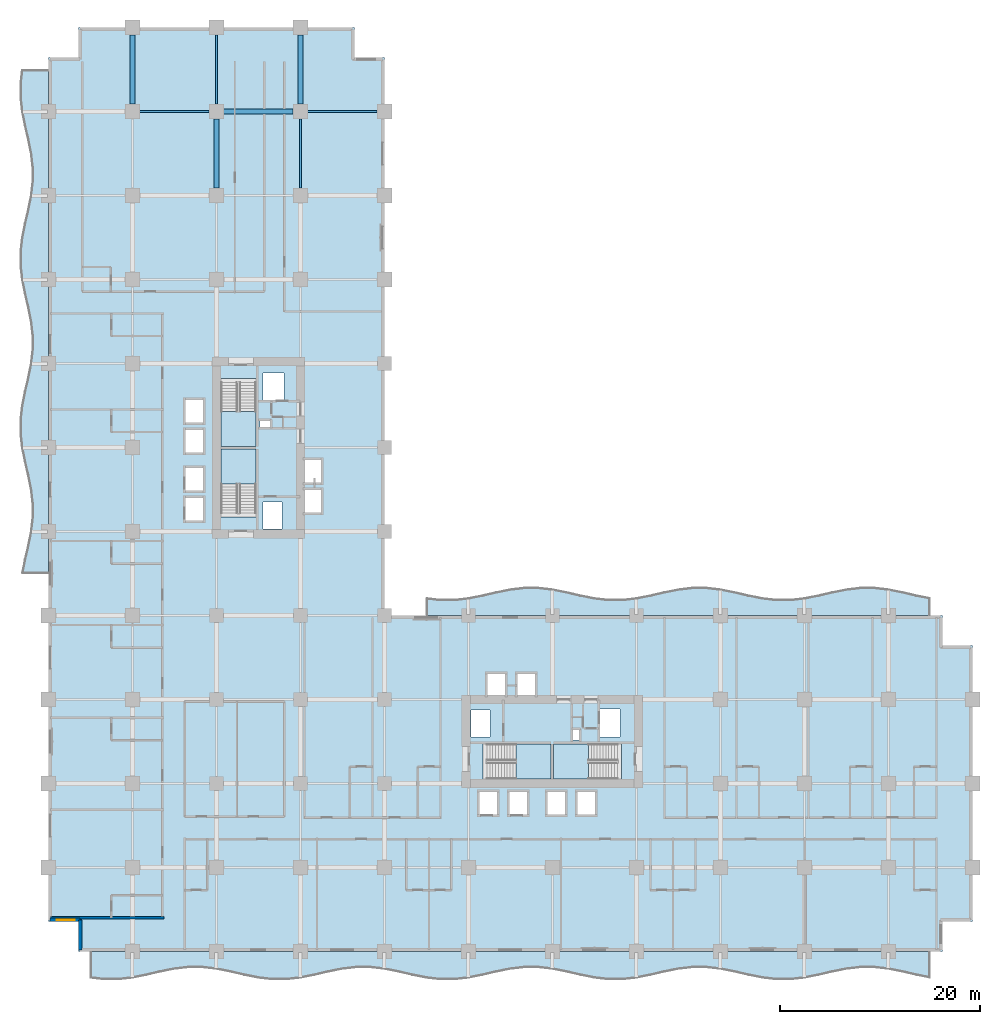
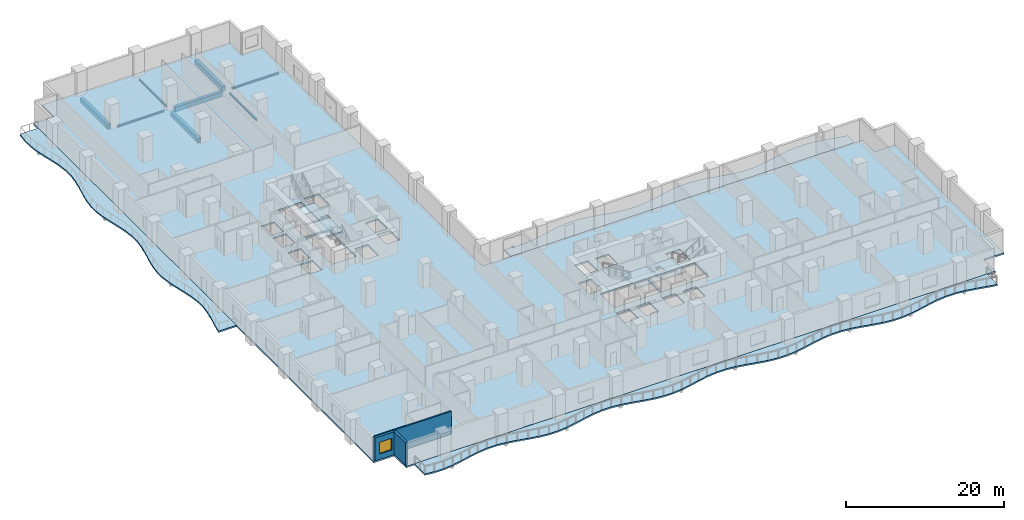
# One storey, part 3 of 22: 8 beams, 8 slabs, 3 walls, 1 window, 1 opening, 4 elements without a shape of their own.
"""IFC4 building model written with IfcOpenShell, lengths in metres."""

from ifc_helpers import new_model, si_unit, direction, frame, frame_2d, origin, origin_2d, place, context, subcontext, project, spatial, polyline, rectangle, i_section, outline, extrude, material, layer, layer_set, material_profile, profile_set, type_object, element, fill, aggregate, save


model = new_model("IFC4")

# Units and contexts
model_context = context("Model", 3, precision=1e-05, world=origin(), true_north=direction((0.0, 1.0)))
body_context = subcontext(model_context, "Body", "Model", "MODEL_VIEW")
ifc_project = project(units=[si_unit("LENGTHUNIT", "METRE"), si_unit("AREAUNIT", "SQUARE_METRE"), si_unit("VOLUMEUNIT", "CUBIC_METRE"), si_unit("PLANEANGLEUNIT", "RADIAN"), si_unit("MASSUNIT", "GRAM", prefix="KILO")], contexts=[model_context])

# Site, building, storey
site_placement = place(None, origin())
site = spatial("IfcSite", under=ifc_project, at=site_placement, CompositionType="ELEMENT")
building_placement = place(site_placement, origin())
building = spatial("IfcBuilding", under=site, at=building_placement, Name="Koriwani Terraces Tower", CompositionType="ELEMENT")
storey_placement = place(building_placement, frame((0.0, 0.0, 51.0)))
storey = spatial("IfcBuildingStorey", under=building, at=storey_placement, Name="L11", CompositionType="ELEMENT", Elevation=51.0)

# Beams
ifc_material_1 = material(Name="Concrete C50/60", Category="concrete")
ifc_material_profile_1 = material_profile(ifc_material_1, rectangle(XDim=0.5, YDim=0.75, at=origin_2d()), Name="Concrete C50/60", Category="LoadBearing")
ifc_profile_set_1 = profile_set([ifc_material_profile_1], Name="Concrete C50/60")
beam_type_1 = type_object("IfcBeamType", Name="BEAM_RC_GRID_500X750", PredefinedType="BEAM", material=ifc_profile_set_1)
for number, where, z_axis, x_axis, name in (
    (1, (17.530029296875, 84.0, -0.625), (1.0, 0.0, 0.0), (0.0, 1.0, 0.0), "L11 Grid Beam K (16.8-25.2m)"),
    (2, (8.39990234375, 84.72998046875, -0.625), (0.0, 1.0, 0.0), (-1.0, 0.0, 0.0), "L11 Grid Beam 2 (84.0-92.4m)"),
    (3, (16.800048828125, 76.330078125, -0.625), (0.0, 1.0, 0.0), (-1.0, 0.0, 0.0), "L11 Grid Beam 3 (75.6-84.0m)"),
    (4, (25.199951171875, 84.72998046875, -0.625), (0.0, 1.0, 0.0), (-1.0, 0.0, 0.0), "L11 Grid Beam 4 (84.0-92.4m)"),
):
    element("IfcBeam", number, at=place(storey_placement, frame(where, z_axis=z_axis, x_axis=x_axis)), inside=storey, type_object=beam_type_1, Name=name, PredefinedType="BEAM", context=body_context, shape_type="SweptSolid", body=[
        extrude(rectangle(XDim=0.5, YDim=0.75, at=origin_2d()), origin(), (0.0, 0.0, 1.0), 6.93994140625),
    ])
ifc_material_2 = material(Name="Steel ASTM A572 Grade 50", Category="steel")
ifc_material_profile_2 = material_profile(ifc_material_2, i_section(OverallWidth=0.205078125, OverallDepth=0.31005859375, WebThickness=0.009521484375, FlangeThickness=0.016357421875, at=origin_2d()), Name="Steel ASTM A572 Grade 50", Category="LoadBearing")
ifc_profile_set_2 = profile_set([ifc_material_profile_2], Name="Steel ASTM A572 Grade 50")
beam_type_2 = type_object("IfcBeamType", Name="STEEL_BEAM_W310X74", PredefinedType="JOIST", material=ifc_profile_set_2)
for number, where, z_axis, x_axis, name in (
    (5, (9.1298828125, 84.0, -0.405029296875), (1.0, 0.0, 0.0), (0.0, 1.0, 0.0), "L11 Grid Beam K (8.4-16.8m)"),
    (6, (25.929931640625, 84.0, -0.405029296875), (1.0, 0.0, 0.0), (0.0, 1.0, 0.0), "L11 Grid Beam K (25.2-33.6m)"),
):
    element("IfcBeam", number, at=place(storey_placement, frame(where, z_axis=z_axis, x_axis=x_axis)), inside=storey, type_object=beam_type_2, Name=name, PredefinedType="JOIST", context=body_context, shape_type="SweptSolid", body=[
        extrude(i_section(OverallWidth=0.205078125, OverallDepth=0.31005859375, WebThickness=0.009521484375, FlangeThickness=0.016357421875, at=origin_2d()), origin(), (0.0, 0.0, 1.0), 6.940185546875),
    ])
for number, where, z_axis, x_axis, name in (
    (7, (16.800048828125, 84.72998046875, -0.405029296875), (0.0, 1.0, 0.0), (-1.0, 0.0, 0.0), "L11 Grid Beam 3 (84.0-92.4m)"),
    (8, (25.199951171875, 76.330078125, -0.405029296875), (0.0, 1.0, 0.0), (-1.0, 0.0, 0.0), "L11 Grid Beam 4 (75.6-84.0m)"),
):
    element("IfcBeam", number, at=place(storey_placement, frame(where, z_axis=z_axis, x_axis=x_axis)), inside=storey, type_object=beam_type_2, Name=name, PredefinedType="JOIST", context=body_context, shape_type="SweptSolid", body=[
        extrude(i_section(OverallWidth=0.205078125, OverallDepth=0.31005859375, WebThickness=0.009521484375, FlangeThickness=0.016357421875, at=origin_2d()), origin(), (0.0, 0.0, 1.0), 6.93994140625),
    ])

# Slabs
ifc_material_3 = material(Name="Concrete C40/50", Category="concrete")
ifc_layer_1 = layer(ifc_material_3, 0.219970703125, Name="Concrete C40/50")
ifc_layer_set_1 = layer_set([ifc_layer_1], Name="Concrete C40/50")
slab_type_1 = type_object("IfcSlabType", Name="SLAB_BALCONY_220", PredefinedType="FLOOR", material=ifc_layer_set_1)
slab_1_placement = place(storey_placement, frame((0.0, 0.0, -0.219970703125)))
element("IfcSlab", 9, at=slab_1_placement, inside=storey, type_object=slab_type_1, Name="L11 Quilted Circular-Arc Balcony (S)", PredefinedType="FLOOR", context=body_context, shape_type="SweptSolid", body=[
    extrude(outline(polyline([(4.199951171875, 0.0), (5.60009765625, 0.0), (7.0, 0.0), (8.39990234375, 0.0), (9.800048828125, 0.0), (11.199951171875, 0.0), (12.60009765625, 0.0), (14.0, 0.0), (15.39990234375, 0.0), (16.800048828125, 0.0), (18.199951171875, 0.0), (19.60009765625, 0.0), (21.0, 0.0), (22.39990234375, 0.0), (23.800048828125, 0.0), (25.199951171875, 0.0), (26.60009765625, 0.0), (28.0, 0.0), (29.39990234375, 0.0), (30.800048828125, 0.0), (32.199951171875, 0.0), (33.60009765625, 0.0), (35.0, 0.0), (36.39990234375, 0.0), (37.800048828125, 0.0), (39.199951171875, 0.0), (40.60009765625, 0.0), (42.0, 0.0), (43.39990234375, 0.0), (44.800048828125, 0.0), (46.199951171875, 0.0), (47.60009765625, 0.0), (49.0, 0.0), (50.39990234375, 0.0), (51.800048828125, 0.0), (53.199951171875, 0.0), (54.60009765625, 0.0), (56.0, 0.0), (57.39990234375, 0.0), (58.800048828125, 0.0), (60.199951171875, 0.0), (61.60009765625, 0.0), (63.0, 0.0), (64.39990234375, 0.0), (65.800048828125, 0.0), (67.199951171875, 0.0), (68.60009765625, 0.0), (70.0, 0.0), (71.39990234375, 0.0), (72.800048828125, 0.0), (74.199951171875, 0.0), (75.60009765625, 0.0), (77.0, 0.0), (78.39990234375, 0.0), (79.800048828125, 0.0), (81.199951171875, 0.0), (82.60009765625, 0.0), (84.0, 0.0), (85.39990234375, 0.0), (86.800048828125, 0.0), (88.199951171875, 0.0), (88.199951171875, -2.6669921875), (86.800048828125, -2.38671875), (85.39990234375, -2.063232421875), (84.0, -1.783203125), (82.60009765625, -1.621337890625), (81.199951171875, -1.621337890625), (79.800048828125, -1.783203125), (78.39990234375, -2.063232421875), (77.0, -2.38671875), (75.60009765625, -2.6669921875), (74.199951171875, -2.82861328125), (72.800048828125, -2.82861328125), (71.39990234375, -2.6669921875), (70.0, -2.38671875), (68.60009765625, -2.063232421875), (67.199951171875, -1.783203125), (65.800048828125, -1.621337890625), (64.39990234375, -1.621337890625), (63.0, -1.783203125), (61.60009765625, -2.063232421875), (60.199951171875, -2.38671875), (58.800048828125, -2.6669921875), (57.39990234375, -2.82861328125), (56.0, -2.82861328125), (54.60009765625, -2.6669921875), (53.199951171875, -2.38671875), (51.800048828125, -2.063232421875), (50.39990234375, -1.783203125), (49.0, -1.621337890625), (47.60009765625, -1.621337890625), (46.199951171875, -1.783203125), (44.800048828125, -2.063232421875), (43.39990234375, -2.38671875), (42.0, -2.6669921875), (40.60009765625, -2.82861328125), (39.199951171875, -2.82861328125), (37.800048828125, -2.6669921875), (36.39990234375, -2.38671875), (35.0, -2.063232421875), (33.60009765625, -1.783203125), (32.199951171875, -1.621337890625), (30.800048828125, -1.621337890625), (29.39990234375, -1.783203125), (28.0, -2.063232421875), (26.60009765625, -2.38671875), (25.199951171875, -2.6669921875), (23.800048828125, -2.82861328125), (22.39990234375, -2.82861328125), (21.0, -2.6669921875), (19.60009765625, -2.38671875), (18.199951171875, -2.063232421875), (16.800048828125, -1.783203125), (15.39990234375, -1.621337890625), (14.0, -1.621337890625), (12.60009765625, -1.783203125), (11.199951171875, -2.063232421875), (9.800048828125, -2.38671875), (8.39990234375, -2.6669921875), (7.0, -2.82861328125), (5.60009765625, -2.82861328125), (4.199951171875, -2.6669921875), (4.199951171875, 0.0)])), origin(), (0.0, 0.0, 1.0), 0.219970703125),
])
slab_2_placement = place(storey_placement, frame((0.0, 0.0, -0.219970703125)))
element("IfcSlab", 10, at=slab_2_placement, inside=storey, type_object=slab_type_1, Name="L11 Quilted Circular-Arc Balcony (W)", PredefinedType="FLOOR", context=body_context, shape_type="SweptSolid", body=[
    extrude(outline(polyline([(0.0, 37.800048828125), (0.0, 39.199951171875), (0.0, 40.60009765625), (0.0, 42.0), (0.0, 43.39990234375), (0.0, 44.800048828125), (0.0, 46.199951171875), (0.0, 47.60009765625), (0.0, 49.0), (0.0, 50.39990234375), (0.0, 51.800048828125), (0.0, 53.199951171875), (0.0, 54.60009765625), (0.0, 56.0), (0.0, 57.39990234375), (0.0, 58.800048828125), (0.0, 60.199951171875), (0.0, 61.60009765625), (0.0, 63.0), (0.0, 64.39990234375), (0.0, 65.800048828125), (0.0, 67.199951171875), (0.0, 68.60009765625), (0.0, 70.0), (0.0, 71.39990234375), (0.0, 72.800048828125), (0.0, 74.199951171875), (0.0, 75.60009765625), (0.0, 77.0), (0.0, 78.39990234375), (0.0, 79.800048828125), (0.0, 81.199951171875), (0.0, 82.60009765625), (0.0, 84.0), (0.0, 85.39990234375), (0.0, 86.800048828125), (0.0, 88.199951171875), (-2.6669921875, 88.199951171875), (-2.82861328125, 86.800048828125), (-2.82861328125, 85.39990234375), (-2.6669921875, 84.0), (-2.38671875, 82.60009765625), (-2.063232421875, 81.199951171875), (-1.783203125, 79.800048828125), (-1.621337890625, 78.39990234375), (-1.621337890625, 77.0), (-1.783203125, 75.60009765625), (-2.063232421875, 74.199951171875), (-2.38671875, 72.800048828125), (-2.6669921875, 71.39990234375), (-2.82861328125, 70.0), (-2.82861328125, 68.60009765625), (-2.6669921875, 67.199951171875), (-2.38671875, 65.800048828125), (-2.063232421875, 64.39990234375), (-1.783203125, 63.0), (-1.621337890625, 61.60009765625), (-1.621337890625, 60.199951171875), (-1.783203125, 58.800048828125), (-2.063232421875, 57.39990234375), (-2.38671875, 56.0), (-2.6669921875, 54.60009765625), (-2.82861328125, 53.199951171875), (-2.82861328125, 51.800048828125), (-2.6669921875, 50.39990234375), (-2.38671875, 49.0), (-2.063232421875, 47.60009765625), (-1.783203125, 46.199951171875), (-1.621337890625, 44.800048828125), (-1.621337890625, 43.39990234375), (-1.783203125, 42.0), (-2.063232421875, 40.60009765625), (-2.38671875, 39.199951171875), (-2.6669921875, 37.800048828125), (0.0, 37.800048828125)])), origin(), (0.0, 0.0, 1.0), 0.219970703125),
])
slab_3_placement = place(storey_placement, frame((0.0, 0.0, -0.219970703125)))
element("IfcSlab", 11, at=slab_3_placement, inside=storey, type_object=slab_type_1, Name="L11 Quilted Circular-Arc Balcony (NE)", PredefinedType="FLOOR", context=body_context, shape_type="SweptSolid", body=[
    extrude(outline(polyline([(88.199951171875, 33.60009765625), (86.800048828125, 33.60009765625), (85.39990234375, 33.60009765625), (84.0, 33.60009765625), (82.60009765625, 33.60009765625), (81.199951171875, 33.60009765625), (79.800048828125, 33.60009765625), (78.39990234375, 33.60009765625), (77.0, 33.60009765625), (75.60009765625, 33.60009765625), (74.199951171875, 33.60009765625), (72.800048828125, 33.60009765625), (71.39990234375, 33.60009765625), (70.0, 33.60009765625), (68.60009765625, 33.60009765625), (67.199951171875, 33.60009765625), (65.800048828125, 33.60009765625), (64.39990234375, 33.60009765625), (63.0, 33.60009765625), (61.60009765625, 33.60009765625), (60.199951171875, 33.60009765625), (58.800048828125, 33.60009765625), (57.39990234375, 33.60009765625), (56.0, 33.60009765625), (54.60009765625, 33.60009765625), (53.199951171875, 33.60009765625), (51.800048828125, 33.60009765625), (50.39990234375, 33.60009765625), (49.0, 33.60009765625), (47.60009765625, 33.60009765625), (46.199951171875, 33.60009765625), (44.800048828125, 33.60009765625), (43.39990234375, 33.60009765625), (42.0, 33.60009765625), (40.60009765625, 33.60009765625), (39.199951171875, 33.60009765625), (37.800048828125, 33.60009765625), (37.800048828125, 35.383056640625), (39.199951171875, 35.22119140625), (40.60009765625, 35.22119140625), (42.0, 35.383056640625), (43.39990234375, 35.6630859375), (44.800048828125, 35.98681640625), (46.199951171875, 36.266845703125), (47.60009765625, 36.4287109375), (49.0, 36.4287109375), (50.39990234375, 36.266845703125), (51.800048828125, 35.98681640625), (53.199951171875, 35.6630859375), (54.60009765625, 35.383056640625), (56.0, 35.22119140625), (57.39990234375, 35.22119140625), (58.800048828125, 35.383056640625), (60.199951171875, 35.6630859375), (61.60009765625, 35.98681640625), (63.0, 36.266845703125), (64.39990234375, 36.4287109375), (65.800048828125, 36.4287109375), (67.199951171875, 36.266845703125), (68.60009765625, 35.98681640625), (70.0, 35.6630859375), (71.39990234375, 35.383056640625), (72.800048828125, 35.22119140625), (74.199951171875, 35.22119140625), (75.60009765625, 35.383056640625), (77.0, 35.6630859375), (78.39990234375, 35.98681640625), (79.800048828125, 36.266845703125), (81.199951171875, 36.4287109375), (82.60009765625, 36.4287109375), (84.0, 36.266845703125), (85.39990234375, 35.98681640625), (86.800048828125, 35.6630859375), (88.199951171875, 35.383056640625), (88.199951171875, 33.60009765625)])), origin(), (0.0, 0.0, 1.0), 0.219970703125),
])

# Stair, slab
stair_type = type_object("IfcStairType", Name="STAIR_CORE_DOGLEG_1650", PredefinedType="TWO_STRAIGHT_RUN_STAIR", material=ifc_material_3)
stair_1_placement = place(storey_placement, origin())
stair_1 = element("IfcStair", 12, at=stair_1_placement, inside=storey, type_object=stair_type, Name="L11 West Core Exit Stair 1", PredefinedType="HALF_TURN_STAIR")
ifc_layer_2 = layer(ifc_material_3, 0.199951171875, Name="Concrete C40/50")
ifc_layer_set_2 = layer_set([ifc_layer_2], Name="Concrete C40/50")
slab_type_2 = type_object("IfcSlabType", Name="SLAB_STAIR_LANDING_200", PredefinedType="LANDING", material=ifc_layer_set_2)
slab_4_placement = place(storey_placement, frame((0.0, 0.0, 1.699951171875)))
slab_4 = element("IfcSlab", 13, at=slab_4_placement, type_object=slab_type_2, Name="ST-W1 landing 1", PredefinedType="LANDING", context=body_context, shape_type="SweptSolid", body=[
    extrude(outline(polyline([(20.75, 46.75), (20.75, 50.25), (17.25, 50.25), (17.25, 46.75), (20.75, 46.75)])), origin(), (0.0, 0.0, 1.0), 0.199951171875),
])
aggregate(stair_1, [slab_4])

stair_2_placement = place(storey_placement, origin())
stair_2 = element("IfcStair", 14, at=stair_2_placement, inside=storey, type_object=stair_type, Name="L11 West Core Exit Stair 2", PredefinedType="HALF_TURN_STAIR")
slab_5_placement = place(storey_placement, frame((0.0, 0.0, 1.699951171875)))
slab_5 = element("IfcSlab", 15, at=slab_5_placement, type_object=slab_type_2, Name="ST-W2 landing 1", PredefinedType="LANDING", context=body_context, shape_type="SweptSolid", body=[
    extrude(outline(polyline([(17.25, 54.0), (17.25, 50.5), (20.75, 50.5), (20.75, 54.0), (17.25, 54.0)])), origin(), (0.0, 0.0, 1.0), 0.199951171875),
])
aggregate(stair_2, [slab_5])

stair_3_placement = place(storey_placement, origin())
stair_3 = element("IfcStair", 16, at=stair_3_placement, inside=storey, type_object=stair_type, Name="L11 East Core Exit Stair 1", PredefinedType="HALF_TURN_STAIR")
slab_6_placement = place(storey_placement, frame((0.0, 0.0, 1.699951171875)))
slab_6 = element("IfcSlab", 17, at=slab_6_placement, type_object=slab_type_2, Name="ST-E1 landing 1", PredefinedType="LANDING", context=body_context, shape_type="SweptSolid", body=[
    extrude(outline(polyline([(46.75, 17.25), (50.25, 17.25), (50.25, 20.75), (46.75, 20.75), (46.75, 17.25)])), origin(), (0.0, 0.0, 1.0), 0.199951171875),
])
aggregate(stair_3, [slab_6])

stair_4_placement = place(storey_placement, origin())
stair_4 = element("IfcStair", 18, at=stair_4_placement, inside=storey, type_object=stair_type, Name="L11 East Core Exit Stair 2", PredefinedType="HALF_TURN_STAIR")
slab_7_placement = place(storey_placement, frame((0.0, 0.0, 1.699951171875)))
slab_7 = element("IfcSlab", 19, at=slab_7_placement, type_object=slab_type_2, Name="ST-E2 landing 1", PredefinedType="LANDING", context=body_context, shape_type="SweptSolid", body=[
    extrude(outline(polyline([(54.0, 20.75), (50.5, 20.75), (50.5, 17.25), (54.0, 17.25), (54.0, 20.75)])), origin(), (0.0, 0.0, 1.0), 0.199951171875),
])
aggregate(stair_4, [slab_7])

# Slab
ifc_layer_3 = layer(ifc_material_3, 0.25, Name="Concrete C40/50")
ifc_layer_set_3 = layer_set([ifc_layer_3], Name="Concrete C40/50")
slab_type_3 = type_object("IfcSlabType", Name="SLAB_TOWER_TYP_250", PredefinedType="FLOOR", material=ifc_layer_set_3)
slab_8_placement = place(storey_placement, frame((0.0, 0.0, -0.25)))
element("IfcSlab", 20, at=slab_8_placement, inside=storey, type_object=slab_type_3, Name="L11 Structural Floor Slab", PredefinedType="FLOOR", context=body_context, shape_type="SweptSolid", body=[
    extrude(outline(polyline([(3.0, 0.0), (89.39990234375, 0.0), (89.39990234375, 3.0), (92.39990234375, 3.0), (92.39990234375, 30.60009765625), (89.39990234375, 30.60009765625), (89.39990234375, 33.60009765625), (33.60009765625, 33.60009765625), (33.60009765625, 89.39990234375), (30.60009765625, 89.39990234375), (30.60009765625, 92.39990234375), (3.0, 92.39990234375), (3.0, 89.39990234375), (0.0, 89.39990234375), (0.0, 3.0), (3.0, 3.0), (3.0, 0.0)]), holes=[polyline([(17.25, 43.4599609375), (20.75, 43.4599609375), (20.75, 50.25), (17.25, 50.25), (17.25, 43.4599609375)]), polyline([(17.25, 50.5), (20.75, 50.5), (20.75, 57.2900390625), (17.25, 57.2900390625), (17.25, 50.5)]), polyline([(43.4599609375, 17.25), (50.25, 17.25), (50.25, 20.75), (43.4599609375, 20.75), (43.4599609375, 17.25)]), polyline([(50.5, 17.25), (57.2900390625, 17.25), (57.2900390625, 20.75), (50.5, 20.75), (50.5, 17.25)]), polyline([(13.64990234375, 43.050048828125), (15.550048828125, 43.050048828125), (15.550048828125, 45.449951171875), (13.64990234375, 45.449951171875), (13.64990234375, 43.050048828125)]), polyline([(13.64990234375, 46.050048828125), (15.550048828125, 46.050048828125), (15.550048828125, 48.449951171875), (13.64990234375, 48.449951171875), (13.64990234375, 46.050048828125)]), polyline([(43.050048828125, 13.64990234375), (44.949951171875, 13.64990234375), (44.949951171875, 16.050048828125), (43.050048828125, 16.050048828125), (43.050048828125, 13.64990234375)]), polyline([(46.050048828125, 13.64990234375), (47.949951171875, 13.64990234375), (47.949951171875, 16.050048828125), (46.050048828125, 16.050048828125), (46.050048828125, 13.64990234375)]), polyline([(13.64990234375, 49.85009765625), (15.550048828125, 49.85009765625), (15.550048828125, 52.25), (13.64990234375, 52.25), (13.64990234375, 49.85009765625)]), polyline([(13.64990234375, 52.85009765625), (15.550048828125, 52.85009765625), (15.550048828125, 55.25), (13.64990234375, 55.25), (13.64990234375, 52.85009765625)]), polyline([(49.85009765625, 13.64990234375), (51.75, 13.64990234375), (51.75, 16.050048828125), (49.85009765625, 16.050048828125), (49.85009765625, 13.64990234375)]), polyline([(52.85009765625, 13.64990234375), (54.75, 13.64990234375), (54.75, 16.050048828125), (52.85009765625, 16.050048828125), (52.85009765625, 13.64990234375)]), polyline([(25.449951171875, 43.85009765625), (27.35009765625, 43.85009765625), (27.35009765625, 46.25), (25.449951171875, 46.25), (25.449951171875, 43.85009765625)]), polyline([(25.449951171875, 46.85009765625), (27.35009765625, 46.85009765625), (27.35009765625, 49.25), (25.449951171875, 49.25), (25.449951171875, 46.85009765625)]), polyline([(43.85009765625, 25.449951171875), (45.75, 25.449951171875), (45.75, 27.85009765625), (43.85009765625, 27.85009765625), (43.85009765625, 25.449951171875)]), polyline([(46.85009765625, 25.449951171875), (48.75, 25.449951171875), (48.75, 27.85009765625), (46.85009765625, 27.85009765625), (46.85009765625, 25.449951171875)]), polyline([(21.449951171875, 55.050048828125), (23.550048828125, 55.050048828125), (23.550048828125, 57.85009765625), (21.449951171875, 57.85009765625), (21.449951171875, 55.050048828125)]), polyline([(55.050048828125, 21.449951171875), (57.14990234375, 21.449951171875), (57.14990234375, 24.25), (55.050048828125, 24.25), (55.050048828125, 21.449951171875)]), polyline([(21.449951171875, 42.25), (23.35009765625, 42.25), (23.35009765625, 44.949951171875), (21.449951171875, 44.949951171875), (21.449951171875, 42.25)]), polyline([(42.25, 21.449951171875), (44.14990234375, 21.449951171875), (44.14990234375, 24.14990234375), (42.25, 24.14990234375), (42.25, 21.449951171875)]), polyline([(21.14990234375, 52.419921875), (22.219970703125, 52.419921875), (22.219970703125, 53.179931640625), (21.14990234375, 53.179931640625), (21.14990234375, 52.419921875)]), polyline([(52.419921875, 21.14990234375), (53.179931640625, 21.14990234375), (53.179931640625, 22.219970703125), (52.419921875, 22.219970703125), (52.419921875, 21.14990234375)])]), origin(), (0.0, 0.0, 1.0), 0.25),
])

# Walls
ifc_material_4 = material(Name="Autoclaved Cellular Concrete Blockwork", Category="masonry")
ifc_layer_4 = layer(ifc_material_4, 0.219970703125, Name="Autoclaved Cellular Concrete Blockwork")
ifc_layer_set_4 = layer_set([ifc_layer_4], Name="Autoclaved Cellular Concrete Blockwork")
wall_type_1 = type_object("IfcWallType", Name="WALL_DEMISING_220", PredefinedType="PARTITIONING", material=ifc_layer_set_4)
wall_1_placement = place(storey_placement, frame((0.199951171875, 3.39990234375, 0.0), z_axis=(0.0, 0.0, 1.0), x_axis=(1.0, 0.0, 0.0)))
element("IfcWall", 21, at=wall_1_placement, inside=storey, type_object=wall_type_1, Name="L11 Interior Wall WDEM-L11-NW-0", PredefinedType="PARTITIONING", context=body_context, shape_type="SweptSolid", body=[
    extrude(rectangle(XDim=11.380126953125, YDim=0.219970703125, at=frame_2d((5.68994140625, 0.0))), origin(), (0.0, 0.0, 1.0), 3.550048828125),
])
ifc_layer_5 = layer(ifc_material_1, 0.35009765625, Name="Concrete C50/60")
ifc_layer_set_5 = layer_set([ifc_layer_5], Name="Concrete C50/60")
wall_type_2 = type_object("IfcWallType", Name="WALL_EXT_BRUTALIST_350", PredefinedType="STANDARD", material=ifc_layer_set_5)
wall_2_placement = place(storey_placement, frame((3.175048828125, 0.175048828125, 0.0), z_axis=(0.0, 0.0, 1.0), x_axis=(0.0, 1.0, 0.0)))
element("IfcWall", 22, at=wall_2_placement, inside=storey, type_object=wall_type_2, Name="L11 Fair-Faced Brutalist Exterior Wall (N0)", PredefinedType="STANDARD", context=body_context, shape_type="SweptSolid", body=[
    extrude(rectangle(XDim=3.0, YDim=0.35009765625, at=frame_2d((1.5, 0.0))), origin(), (0.0, 0.0, 1.0), 3.550048828125),
])

# Wall, opening, window
wall_3_placement = place(storey_placement, frame((3.175048828125, 3.175048828125, 0.0), z_axis=(0.0, 0.0, 1.0), x_axis=(-1.0, 0.0, 0.0)))
wall_3 = element("IfcWall", 23, at=wall_3_placement, inside=storey, type_object=wall_type_2, Name="L11 Fair-Faced Brutalist Exterior Wall (N1)", PredefinedType="STANDARD", context=body_context, shape_type="SweptSolid", body=[
    extrude(rectangle(XDim=3.0, YDim=0.35009765625, at=frame_2d((1.5, 0.0))), origin(), (0.0, 0.0, 1.0), 3.550048828125),
])
opening_placement = place(wall_3_placement, frame((0.5224609375, 0.0, 0.85009765625)))
opening = element("IfcOpeningElement", 24, at=opening_placement, cuts=wall_3, Name="Opening W-04", PredefinedType="OPENING", context=body_context, shape_type="SweptSolid", body=[
    extrude(rectangle(XDim=1.800048828125, YDim=1.800048828125, at=frame_2d((0.89990234375, 0.89990234375))), frame((0.0, 0.18505859375, 0.0), z_axis=(0.0, -1.0, 0.0), x_axis=(1.0, 0.0, 0.0)), (0.0, 0.0, 1.0), 0.3701171875),
])
ifc_material_5 = material(Name="Tempered Laminated Low-E Glass", Category="glass")
window_type = type_object("IfcWindowType", Name="WIN_RES_BED_1800X1800", PartitioningType="DOUBLE_PANEL_VERTICAL", PredefinedType="WINDOW", material=ifc_material_5)
window_placement = place(opening_placement, origin())
window = element("IfcWindow", 25, at=window_placement, inside=storey, type_object=window_type, Name="L11 Exterior Window (N1-R36)", OverallHeight=1.800048828125, OverallWidth=1.800048828125, PartitioningType="SINGLE_PANEL", PredefinedType="WINDOW", context=body_context, shape_type="SweptSolid", body=[
    extrude(rectangle(XDim=1.800048828125, YDim=1.800048828125, at=frame_2d((0.89990234375, 0.89990234375))), frame((0.0, 0.030029296875, 0.0), z_axis=(0.0, -1.0, 0.0), x_axis=(1.0, 0.0, 0.0)), (0.0, 0.0, 1.0), 0.06005859375),
])
fill(opening, window)

save(model, "model.ifc")
